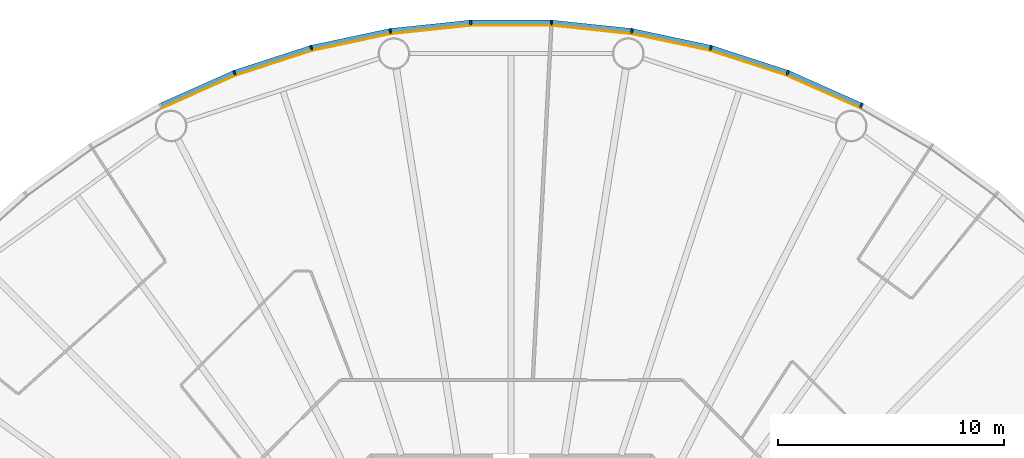
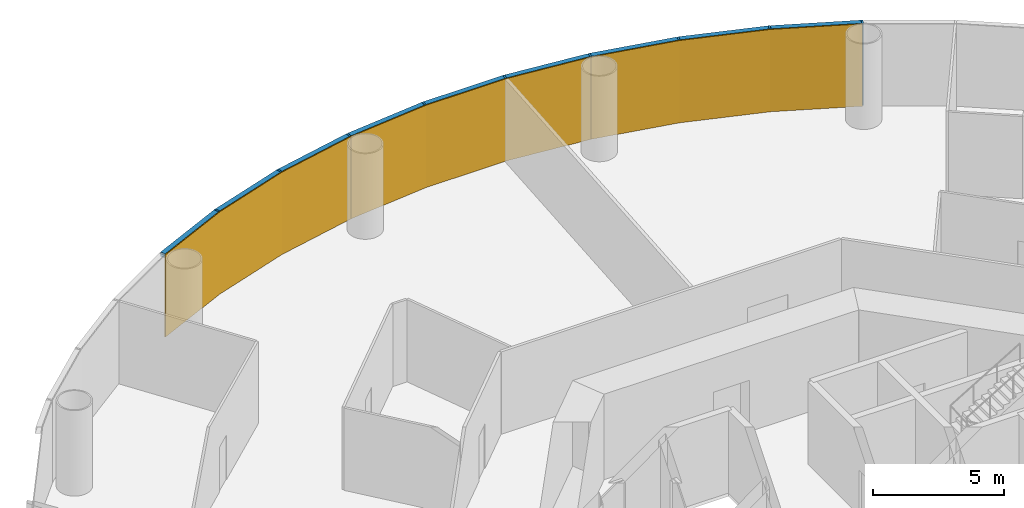
# One storey, part 12 of 13: 18 members, 3 curtain walls.
"""IFC4 building model written with IfcOpenShell, lengths in metres."""

from ifc_helpers import new_model, si_unit, direction, frame, origin, origin_2d, place, context, subcontext, project, spatial, polyline, rectangle, outline, extrude, material, layer, layer_set, material_profile, profile_set, type_object, element, aggregate, save


model = new_model("IFC4")

# Units and contexts
model_context = context("Model", 3, precision=1e-05, world=origin(), true_north=direction((0.0, 1.0)))
body_context = subcontext(model_context, "Body", "Model", "MODEL_VIEW")
ifc_project = project(units=[si_unit("LENGTHUNIT", "METRE"), si_unit("AREAUNIT", "SQUARE_METRE"), si_unit("VOLUMEUNIT", "CUBIC_METRE"), si_unit("PLANEANGLEUNIT", "RADIAN"), si_unit("MASSUNIT", "GRAM", prefix="KILO")], contexts=[model_context])

# Member
ifc_material_1 = material(Name="Anodised aluminium", Category="aluminium")
ifc_material_profile_1 = material_profile(ifc_material_1, rectangle(XDim=0.074951171875, YDim=0.219970703125, at=origin_2d()), Name="Mullion 75 x 220 mm anodised aluminium")
ifc_profile_set_1 = profile_set([ifc_material_profile_1], Name="Anodised aluminium")
member_type_1 = type_object("IfcMemberType", Name="Mullion 75 x 220 mm anodised aluminium", PredefinedType="MULLION", material=ifc_profile_set_1)
site_placement = place(None, origin())
building_placement = place(site_placement, origin())
storey_placement = place(building_placement, frame((0.0, 0.0, 62.0)))
member_1_placement = place(storey_placement, frame((105.485595703125, 110.392333984375, 0.0), z_axis=(0.0, 0.0, 1.0), x_axis=(-0.891006524188, 0.45399049974, 0.0)))
member_1 = element("IfcMember", 1, at=member_1_placement, type_object=member_type_1, Name="MULLION L13-09", PredefinedType="MULLION", context=body_context, shape_type="SweptSolid", body=[
    extrude(rectangle(XDim=0.074951171875, YDim=0.219970703125, at=origin_2d()), origin(), (0.0, 0.0, 1.0), 3.85009765625),
])

member_2_placement = place(storey_placement, frame((102.223876953125, 111.844482421875, 0.0), z_axis=(0.0, 0.0, 1.0), x_axis=(-0.933580426497, 0.358367949545, 0.0)))
member_2 = element("IfcMember", 2, at=member_2_placement, type_object=member_type_1, Name="MULLION L13-10", PredefinedType="MULLION", context=body_context, shape_type="SweptSolid", body=[
    extrude(rectangle(XDim=0.074951171875, YDim=0.219970703125, at=origin_2d()), origin(), (0.0, 0.0, 1.0), 3.85009765625),
])

member_3_placement = place(storey_placement, frame((98.828369140625, 112.94775390625, 0.0), z_axis=(0.0, 0.0, 1.0), x_axis=(-0.965925826289, 0.258819045103, 0.0)))
member_3 = element("IfcMember", 3, at=member_3_placement, type_object=member_type_1, Name="MULLION L13-11", PredefinedType="MULLION", context=body_context, shape_type="SweptSolid", body=[
    extrude(rectangle(XDim=0.074951171875, YDim=0.219970703125, at=origin_2d()), origin(), (0.0, 0.0, 1.0), 3.85009765625),
])

member_4_placement = place(storey_placement, frame((95.3359375, 113.68994140625, 0.0), z_axis=(0.0, 0.0, 1.0), x_axis=(-0.987688340595, 0.15643446504, 0.0)))
member_4 = element("IfcMember", 4, at=member_4_placement, type_object=member_type_1, Name="MULLION L13-12", PredefinedType="MULLION", context=body_context, shape_type="SweptSolid", body=[
    extrude(rectangle(XDim=0.074951171875, YDim=0.219970703125, at=origin_2d()), origin(), (0.0, 0.0, 1.0), 3.85009765625),
])

member_5_placement = place(storey_placement, frame((91.78515625, 114.063232421875, 0.0), z_axis=(0.0, 0.0, 1.0), x_axis=(-0.998629534755, 0.052335956243, 0.0)))
member_5 = element("IfcMember", 5, at=member_5_placement, type_object=member_type_1, Name="MULLION L13-13", PredefinedType="MULLION", context=body_context, shape_type="SweptSolid", body=[
    extrude(rectangle(XDim=0.074951171875, YDim=0.219970703125, at=origin_2d()), origin(), (0.0, 0.0, 1.0), 3.85009765625),
])

member_6_placement = place(storey_placement, frame((88.21484375, 114.063232421875, 0.0), z_axis=(0.0, 0.0, 1.0), x_axis=(-0.998629534755, -0.052335956243, 0.0)))
member_6 = element("IfcMember", 6, at=member_6_placement, type_object=member_type_1, Name="MULLION L13-14", PredefinedType="MULLION", context=body_context, shape_type="SweptSolid", body=[
    extrude(rectangle(XDim=0.074951171875, YDim=0.219970703125, at=origin_2d()), origin(), (0.0, 0.0, 1.0), 3.85009765625),
])

member_7_placement = place(storey_placement, frame((84.6640625, 113.68994140625, 0.0), z_axis=(0.0, 0.0, 1.0), x_axis=(-0.987688340595, -0.15643446504, 0.0)))
member_7 = element("IfcMember", 7, at=member_7_placement, type_object=member_type_1, Name="MULLION L13-15", PredefinedType="MULLION", context=body_context, shape_type="SweptSolid", body=[
    extrude(rectangle(XDim=0.074951171875, YDim=0.219970703125, at=origin_2d()), origin(), (0.0, 0.0, 1.0), 3.85009765625),
])

member_8_placement = place(storey_placement, frame((81.171630859375, 112.94775390625, 0.0), z_axis=(0.0, 0.0, 1.0), x_axis=(-0.965925826289, -0.258819045103, 0.0)))
member_8 = element("IfcMember", 8, at=member_8_placement, type_object=member_type_1, Name="MULLION L13-16", PredefinedType="MULLION", context=body_context, shape_type="SweptSolid", body=[
    extrude(rectangle(XDim=0.074951171875, YDim=0.219970703125, at=origin_2d()), origin(), (0.0, 0.0, 1.0), 3.85009765625),
])

member_9_placement = place(storey_placement, frame((77.776123046875, 111.844482421875, 0.0), z_axis=(0.0, 0.0, 1.0), x_axis=(-0.933580426497, -0.358367949545, 0.0)))
member_9 = element("IfcMember", 9, at=member_9_placement, type_object=member_type_1, Name="MULLION L13-17", PredefinedType="MULLION", context=body_context, shape_type="SweptSolid", body=[
    extrude(rectangle(XDim=0.074951171875, YDim=0.219970703125, at=origin_2d()), origin(), (0.0, 0.0, 1.0), 3.85009765625),
])

ifc_material_2 = material(Name="Anodised aluminium", Category="aluminium")
ifc_material_profile_2 = material_profile(ifc_material_2, rectangle(XDim=0.219970703125, YDim=0.199951171875, at=origin_2d()), Name="Transom 200 x 220 mm anodised aluminium")
ifc_profile_set_2 = profile_set([ifc_material_profile_2], Name="Anodised aluminium")
member_type_2 = type_object("IfcMemberType", Name="Transom 200 x 220 mm anodised aluminium", PredefinedType="USERDEFINED", material=ifc_profile_set_2)
member_10_placement = place(storey_placement, frame((105.446044921875, 110.409912109375, 3.75), z_axis=(-0.913545487371, 0.406736576304, 0.0), x_axis=(-0.406736576304, -0.913545487371, 0.0)))
member_10 = element("IfcMember", 10, at=member_10_placement, type_object=member_type_2, Name="TRANSOM L13-09", ObjectType="TRANSOM", PredefinedType="USERDEFINED", context=body_context, shape_type="SweptSolid", body=[
    extrude(rectangle(XDim=0.219970703125, YDim=0.199951171875, at=origin_2d()), origin(), (0.0, 0.0, 1.0), 3.48388671875),
])

member_11_placement = place(storey_placement, frame((102.182861328125, 111.85791015625, 3.75), z_axis=(-0.951052605696, 0.309029029702, 0.0), x_axis=(-0.309029029702, -0.951052605696, 0.0)))
member_11 = element("IfcMember", 11, at=member_11_placement, type_object=member_type_2, Name="TRANSOM L13-10", ObjectType="TRANSOM", PredefinedType="USERDEFINED", context=body_context, shape_type="SweptSolid", body=[
    extrude(rectangle(XDim=0.219970703125, YDim=0.199951171875, at=origin_2d()), origin(), (0.0, 0.0, 1.0), 3.484130859375),
])

member_12_placement = place(storey_placement, frame((98.7861328125, 112.956787109375, 3.75), z_axis=(-0.978145669426, 0.207920776701, 0.0), x_axis=(-0.207920776701, -0.978145669426, 0.0)))
member_12 = element("IfcMember", 12, at=member_12_placement, type_object=member_type_2, Name="TRANSOM L13-11", ObjectType="TRANSOM", PredefinedType="USERDEFINED", context=body_context, shape_type="SweptSolid", body=[
    extrude(rectangle(XDim=0.219970703125, YDim=0.199951171875, at=origin_2d()), origin(), (0.0, 0.0, 1.0), 3.48388671875),
])

member_13_placement = place(storey_placement, frame((95.29296875, 113.69482421875, 3.75), z_axis=(-0.994526551648, 0.104484152234, 0.0), x_axis=(-0.104484152234, -0.994526551648, 0.0)))
member_13 = element("IfcMember", 13, at=member_13_placement, type_object=member_type_2, Name="TRANSOM L13-12", ObjectType="TRANSOM", PredefinedType="USERDEFINED", context=body_context, shape_type="SweptSolid", body=[
    extrude(rectangle(XDim=0.219970703125, YDim=0.199951171875, at=origin_2d()), origin(), (0.0, 0.0, 1.0), 3.48388671875),
])

member_14_placement = place(storey_placement, frame((91.741943359375, 114.0634765625, 3.75), z_axis=(-1.0, 0.0, 0.0), x_axis=(0.0, -1.0, 0.0)))
member_14 = element("IfcMember", 14, at=member_14_placement, type_object=member_type_2, Name="TRANSOM L13-13", ObjectType="TRANSOM", PredefinedType="USERDEFINED", context=body_context, shape_type="SweptSolid", body=[
    extrude(rectangle(XDim=0.219970703125, YDim=0.199951171875, at=origin_2d()), origin(), (0.0, 0.0, 1.0), 3.48388671875),
])

member_15_placement = place(storey_placement, frame((88.171875, 114.058837890625, 3.75), z_axis=(-0.994526551648, -0.104484152234, 0.0), x_axis=(0.104484152234, -0.994526551648, 0.0)))
member_15 = element("IfcMember", 15, at=member_15_placement, type_object=member_type_2, Name="TRANSOM L13-14", ObjectType="TRANSOM", PredefinedType="USERDEFINED", context=body_context, shape_type="SweptSolid", body=[
    extrude(rectangle(XDim=0.219970703125, YDim=0.199951171875, at=origin_2d()), origin(), (0.0, 0.0, 1.0), 3.48388671875),
])

member_16_placement = place(storey_placement, frame((84.62158203125, 113.68115234375, 3.75), z_axis=(-0.978145669426, -0.207920776701, 0.0), x_axis=(0.207920776701, -0.978145669426, 0.0)))
member_16 = element("IfcMember", 16, at=member_16_placement, type_object=member_type_2, Name="TRANSOM L13-15", ObjectType="TRANSOM", PredefinedType="USERDEFINED", context=body_context, shape_type="SweptSolid", body=[
    extrude(rectangle(XDim=0.219970703125, YDim=0.199951171875, at=origin_2d()), origin(), (0.0, 0.0, 1.0), 3.48388671875),
])

member_17_placement = place(storey_placement, frame((81.130615234375, 112.9345703125, 3.75), z_axis=(-0.951052605696, -0.309029029702, 0.0), x_axis=(0.309029029702, -0.951052605696, 0.0)))
member_17 = element("IfcMember", 17, at=member_17_placement, type_object=member_type_2, Name="TRANSOM L13-16", ObjectType="TRANSOM", PredefinedType="USERDEFINED", context=body_context, shape_type="SweptSolid", body=[
    extrude(rectangle(XDim=0.219970703125, YDim=0.199951171875, at=origin_2d()), origin(), (0.0, 0.0, 1.0), 3.484130859375),
])

member_18_placement = place(storey_placement, frame((77.736572265625, 111.826904296875, 3.75), z_axis=(-0.913545487371, -0.406736576304, 0.0), x_axis=(0.406736576304, -0.913545487371, 0.0)))
member_18 = element("IfcMember", 18, at=member_18_placement, type_object=member_type_2, Name="TRANSOM L13-17", ObjectType="TRANSOM", PredefinedType="USERDEFINED", context=body_context, shape_type="SweptSolid", body=[
    extrude(rectangle(XDim=0.219970703125, YDim=0.199951171875, at=origin_2d()), origin(), (0.0, 0.0, 1.0), 3.48388671875),
])

# Site, building, storey
site = spatial("IfcSite", under=ifc_project, at=site_placement, CompositionType="ELEMENT")
building = spatial("IfcBuilding", under=site, at=building_placement, Name="Entoto Ring Tower", CompositionType="ELEMENT")
storey = spatial("IfcBuildingStorey", under=building, at=storey_placement, Name="L13", CompositionType="ELEMENT", Elevation=62.0)

# Curtain wall
ifc_material_3 = material(Name="Clear low-iron glass", Category="glass")
ifc_layer = layer(ifc_material_3, 0.0400390625)
ifc_layer_set = layer_set([ifc_layer], Name="Clear low-iron glass")
curtain_wall_type = type_object("IfcCurtainWallType", Name="Curtain wall system CW1 glazing 40 mm", PredefinedType="NOTDEFINED", material=ifc_layer_set)
curtain_wall_1_placement = place(storey_placement, origin())
curtain_wall_1 = element("IfcCurtainWall", 19, at=curtain_wall_1_placement, inside=storey, type_object=curtain_wall_type, Name="CW1 L13-04", PredefinedType="NOTDEFINED", context=body_context, shape_type="SweptSolid", body=[
    extrude(outline(polyline([(105.435791015625, 110.294189453125), (102.1845703125, 111.74169921875), (98.7998046875, 112.841552734375), (95.31884765625, 113.581298828125), (95.3125, 113.541748046875), (98.78955078125, 112.802734375), (102.170166015625, 111.704345703125), (105.41748046875, 110.258544921875), (105.435791015625, 110.294189453125)])), origin(), (0.0, 0.0, 1.0), 3.85009765625),
])

aggregate(curtain_wall_1, [member_1, member_2, member_3, member_10, member_11, member_12])

curtain_wall_2_placement = place(storey_placement, origin())
curtain_wall_2 = element("IfcCurtainWall", 20, at=curtain_wall_2_placement, inside=storey, type_object=curtain_wall_type, Name="CW1 L13-05", PredefinedType="NOTDEFINED", context=body_context, shape_type="SweptSolid", body=[
    extrude(outline(polyline([(95.31884765625, 113.581298828125), (91.779541015625, 113.953369140625), (88.220458984375, 113.953369140625), (84.68115234375, 113.581298828125), (84.6875, 113.541748046875), (88.22265625, 113.913330078125), (91.77734375, 113.913330078125), (95.3125, 113.541748046875), (95.31884765625, 113.581298828125)])), origin(), (0.0, 0.0, 1.0), 3.85009765625),
])

aggregate(curtain_wall_2, [member_4, member_5, member_6, member_13, member_14, member_15])

curtain_wall_3_placement = place(storey_placement, origin())
curtain_wall_3 = element("IfcCurtainWall", 21, at=curtain_wall_3_placement, inside=storey, type_object=curtain_wall_type, Name="CW1 L13-06", PredefinedType="NOTDEFINED", context=body_context, shape_type="SweptSolid", body=[
    extrude(outline(polyline([(84.68115234375, 113.581298828125), (81.2001953125, 112.841552734375), (77.8154296875, 111.74169921875), (74.564208984375, 110.294189453125), (74.58251953125, 110.258544921875), (77.829833984375, 111.704345703125), (81.21044921875, 112.802734375), (84.6875, 113.541748046875), (84.68115234375, 113.581298828125)])), origin(), (0.0, 0.0, 1.0), 3.85009765625),
])

aggregate(curtain_wall_3, [member_7, member_8, member_9, member_16, member_17, member_18])

save(model, "model.ifc")
